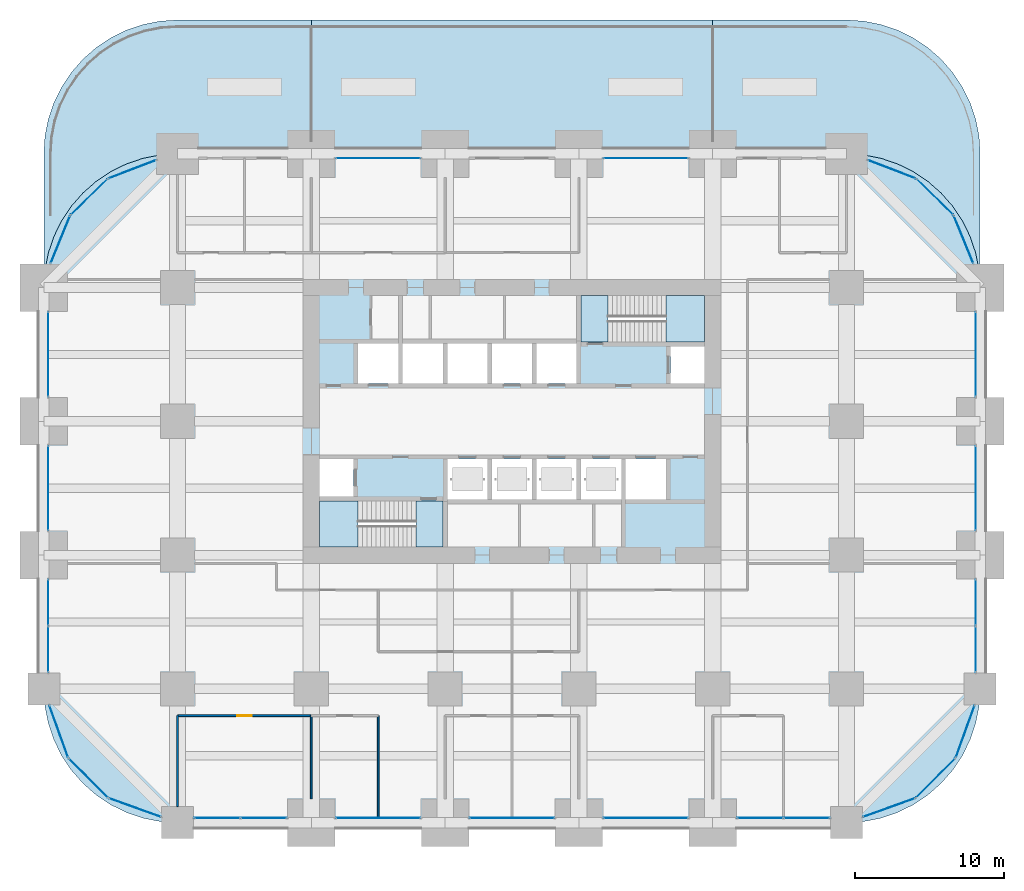
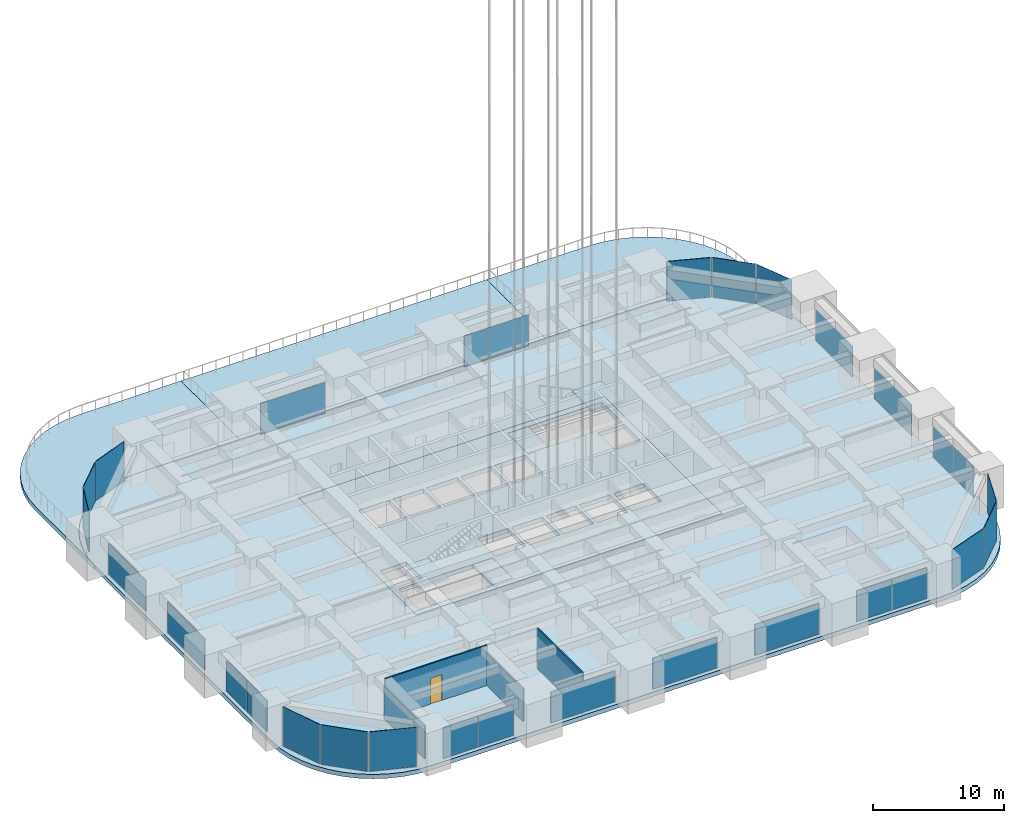
# One storey, part 35 of 50: 29 plates, 9 slabs, 4 walls, 1 door, 1 opening, 27 elements without a shape of their own.
"""IFC4 building model written with IfcOpenShell, lengths in metres."""

from ifc_helpers import new_model, si_unit, direction, frame, frame_2d, origin, origin_2d, place, context, subcontext, project, spatial, polyline, rectangle, outline, extrude, material, layer, layer_set, type_object, element, fill, aggregate, save


model = new_model("IFC4")

# Units and contexts
model_context = context("Model", 3, precision=1e-05, world=origin(), true_north=direction((0.0, 1.0)))
body_context = subcontext(model_context, "Body", "Model", "MODEL_VIEW")
ifc_project = project(units=[si_unit("LENGTHUNIT", "METRE"), si_unit("AREAUNIT", "SQUARE_METRE"), si_unit("VOLUMEUNIT", "CUBIC_METRE"), si_unit("PLANEANGLEUNIT", "RADIAN"), si_unit("MASSUNIT", "GRAM", prefix="KILO")], contexts=[model_context])

# Site, building, storey
site_placement = place(None, origin())
site = spatial("IfcSite", under=ifc_project, at=site_placement, CompositionType="ELEMENT")
building_placement = place(site_placement, origin())
building = spatial("IfcBuilding", under=site, at=building_placement, Name="Zorevar Civic Tower", CompositionType="ELEMENT")
storey_placement = place(building_placement, frame((0.0, 0.0, 85.0)))
storey = spatial("IfcBuildingStorey", under=building, at=storey_placement, Name="L20", CompositionType="ELEMENT", Elevation=85.0)

# Curtain wall, plates
ifc_material_1 = material(Name="Dark grey solar-control glass in black aluminium frame", Category="aluminium")
curtain_wall_type = type_object("IfcCurtainWallType", Name="Curtain wall CW3 mid zone", PredefinedType="NOTDEFINED", material=ifc_material_1)
curtain_wall_1_placement = place(storey_placement, origin())
curtain_wall_1 = element("IfcCurtainWall", 1, at=curtain_wall_1_placement, inside=storey, type_object=curtain_wall_type, Name="CW3 L20", PredefinedType="NOTDEFINED")
ifc_material_2 = material(Name="Dark grey solar-control glass", Category="glass")
ifc_layer_1 = layer(ifc_material_2, 0.030029296875)
ifc_layer_set_1 = layer_set([ifc_layer_1], Name="CW3 panel 30")
plate_type = type_object("IfcPlateType", Name="CW3 panel 30", PredefinedType="CURTAIN_PANEL", material=ifc_layer_set_1)
plate_1_placement = place(storey_placement, frame((11.671142578125, 0.300048828125, 0.06005859375), z_axis=(0.0, 0.0, 1.0), x_axis=(1.0, 0.0, 0.0)))
plate_1 = element("IfcPlate", 2, at=plate_1_placement, type_object=plate_type, Name="CW3 panel 1.1", PredefinedType="CURTAIN_PANEL", context=body_context, shape_type="SweptSolid", body=[
    extrude(rectangle(XDim=3.072509765625, YDim=0.030029296875, at=origin_2d()), origin(), (0.0, 0.0, 1.0), 2.889892578125),
])
plate_2_placement = place(storey_placement, frame((14.8037109375, 0.300048828125, 0.06005859375), z_axis=(0.0, 0.0, 1.0), x_axis=(1.0, 0.0, 0.0)))
plate_2 = element("IfcPlate", 3, at=plate_2_placement, type_object=plate_type, Name="CW3 panel 2.1", PredefinedType="CURTAIN_PANEL", context=body_context, shape_type="SweptSolid", body=[
    extrude(rectangle(XDim=3.072509765625, YDim=0.030029296875, at=origin_2d()), origin(), (0.0, 0.0, 1.0), 2.889892578125),
])
aggregate(curtain_wall_1, [plate_1, plate_2])

# Curtain wall, plate
curtain_wall_2_placement = place(storey_placement, origin())
curtain_wall_2 = element("IfcCurtainWall", 4, at=curtain_wall_2_placement, inside=storey, type_object=curtain_wall_type, Name="CW3 L20", PredefinedType="NOTDEFINED")
plate_3_placement = place(storey_placement, frame((22.5, 0.300048828125, 0.06005859375), z_axis=(0.0, 0.0, 1.0), x_axis=(1.0, 0.0, 0.0)))
plate_3 = element("IfcPlate", 5, at=plate_3_placement, type_object=plate_type, Name="CW3 panel 1.1", PredefinedType="CURTAIN_PANEL", context=body_context, shape_type="SweptSolid", body=[
    extrude(rectangle(XDim=5.679931640625, YDim=0.030029296875, at=origin_2d()), origin(), (0.0, 0.0, 1.0), 2.889892578125),
])
aggregate(curtain_wall_2, [plate_3])

curtain_wall_3_placement = place(storey_placement, origin())
curtain_wall_3 = element("IfcCurtainWall", 6, at=curtain_wall_3_placement, inside=storey, type_object=curtain_wall_type, Name="CW3 L20", PredefinedType="NOTDEFINED")
plate_4_placement = place(storey_placement, frame((22.5, 44.699951171875, 0.06005859375), z_axis=(0.0, 0.0, 1.0), x_axis=(1.0, 0.0, 0.0)))
plate_4 = element("IfcPlate", 7, at=plate_4_placement, type_object=plate_type, Name="CW3 panel 1.1", PredefinedType="CURTAIN_PANEL", context=body_context, shape_type="SweptSolid", body=[
    extrude(rectangle(XDim=5.679931640625, YDim=0.030029296875, at=origin_2d()), origin(), (0.0, 0.0, 1.0), 2.889892578125),
])
aggregate(curtain_wall_3, [plate_4])

curtain_wall_4_placement = place(storey_placement, origin())
curtain_wall_4 = element("IfcCurtainWall", 8, at=curtain_wall_4_placement, inside=storey, type_object=curtain_wall_type, Name="CW3 L20", PredefinedType="NOTDEFINED")
plate_5_placement = place(storey_placement, frame((31.5, 0.300048828125, 0.06005859375), z_axis=(0.0, 0.0, 1.0), x_axis=(1.0, 0.0, 0.0)))
plate_5 = element("IfcPlate", 9, at=plate_5_placement, type_object=plate_type, Name="CW3 panel 1.1", PredefinedType="CURTAIN_PANEL", context=body_context, shape_type="SweptSolid", body=[
    extrude(rectangle(XDim=5.679931640625, YDim=0.030029296875, at=origin_2d()), origin(), (0.0, 0.0, 1.0), 2.889892578125),
])
aggregate(curtain_wall_4, [plate_5])

curtain_wall_5_placement = place(storey_placement, origin())
curtain_wall_5 = element("IfcCurtainWall", 10, at=curtain_wall_5_placement, inside=storey, type_object=curtain_wall_type, Name="CW3 L20", PredefinedType="NOTDEFINED")
plate_6_placement = place(storey_placement, frame((40.5, 0.300048828125, 0.06005859375), z_axis=(0.0, 0.0, 1.0), x_axis=(1.0, 0.0, 0.0)))
plate_6 = element("IfcPlate", 11, at=plate_6_placement, type_object=plate_type, Name="CW3 panel 1.1", PredefinedType="CURTAIN_PANEL", context=body_context, shape_type="SweptSolid", body=[
    extrude(rectangle(XDim=5.679931640625, YDim=0.030029296875, at=origin_2d()), origin(), (0.0, 0.0, 1.0), 2.889892578125),
])
aggregate(curtain_wall_5, [plate_6])

curtain_wall_6_placement = place(storey_placement, origin())
curtain_wall_6 = element("IfcCurtainWall", 12, at=curtain_wall_6_placement, inside=storey, type_object=curtain_wall_type, Name="CW3 L20", PredefinedType="NOTDEFINED")
plate_7_placement = place(storey_placement, frame((40.5, 44.699951171875, 0.06005859375), z_axis=(0.0, 0.0, 1.0), x_axis=(1.0, 0.0, 0.0)))
plate_7 = element("IfcPlate", 13, at=plate_7_placement, type_object=plate_type, Name="CW3 panel 1.1", PredefinedType="CURTAIN_PANEL", context=body_context, shape_type="SweptSolid", body=[
    extrude(rectangle(XDim=5.679931640625, YDim=0.030029296875, at=origin_2d()), origin(), (0.0, 0.0, 1.0), 2.889892578125),
])
aggregate(curtain_wall_6, [plate_7])

# Curtain wall, plates
curtain_wall_7_placement = place(storey_placement, origin())
curtain_wall_7 = element("IfcCurtainWall", 14, at=curtain_wall_7_placement, inside=storey, type_object=curtain_wall_type, Name="CW3 L20", PredefinedType="NOTDEFINED")
plate_8_placement = place(storey_placement, frame((48.1962890625, 0.300048828125, 0.06005859375), z_axis=(0.0, 0.0, 1.0), x_axis=(1.0, 0.0, 0.0)))
plate_8 = element("IfcPlate", 15, at=plate_8_placement, type_object=plate_type, Name="CW3 panel 1.1", PredefinedType="CURTAIN_PANEL", context=body_context, shape_type="SweptSolid", body=[
    extrude(rectangle(XDim=3.072509765625, YDim=0.030029296875, at=origin_2d()), origin(), (0.0, 0.0, 1.0), 2.889892578125),
])
plate_9_placement = place(storey_placement, frame((51.328857421875, 0.300048828125, 0.06005859375), z_axis=(0.0, 0.0, 1.0), x_axis=(1.0, 0.0, 0.0)))
plate_9 = element("IfcPlate", 16, at=plate_9_placement, type_object=plate_type, Name="CW3 panel 2.1", PredefinedType="CURTAIN_PANEL", context=body_context, shape_type="SweptSolid", body=[
    extrude(rectangle(XDim=3.072509765625, YDim=0.030029296875, at=origin_2d()), origin(), (0.0, 0.0, 1.0), 2.889892578125),
])
aggregate(curtain_wall_7, [plate_8, plate_9])

curtain_wall_8_placement = place(storey_placement, origin())
curtain_wall_8 = element("IfcCurtainWall", 17, at=curtain_wall_8_placement, inside=storey, type_object=curtain_wall_type, Name="CW3 L20", PredefinedType="NOTDEFINED")
plate_10_placement = place(storey_placement, frame((0.300048828125, 11.671142578125, 0.06005859375), z_axis=(0.0, 0.0, 1.0), x_axis=(0.0, 1.0, 0.0)))
plate_10 = element("IfcPlate", 18, at=plate_10_placement, type_object=plate_type, Name="CW3 panel 1.1", PredefinedType="CURTAIN_PANEL", context=body_context, shape_type="SweptSolid", body=[
    extrude(rectangle(XDim=3.072509765625, YDim=0.030029296875, at=origin_2d()), origin(), (0.0, 0.0, 1.0), 2.889892578125),
])
plate_11_placement = place(storey_placement, frame((0.300048828125, 14.8037109375, 0.06005859375), z_axis=(0.0, 0.0, 1.0), x_axis=(0.0, 1.0, 0.0)))
plate_11 = element("IfcPlate", 19, at=plate_11_placement, type_object=plate_type, Name="CW3 panel 2.1", PredefinedType="CURTAIN_PANEL", context=body_context, shape_type="SweptSolid", body=[
    extrude(rectangle(XDim=3.072509765625, YDim=0.030029296875, at=origin_2d()), origin(), (0.0, 0.0, 1.0), 2.889892578125),
])
aggregate(curtain_wall_8, [plate_10, plate_11])

curtain_wall_9_placement = place(storey_placement, origin())
curtain_wall_9 = element("IfcCurtainWall", 20, at=curtain_wall_9_placement, inside=storey, type_object=curtain_wall_type, Name="CW3 L20", PredefinedType="NOTDEFINED")
plate_12_placement = place(storey_placement, frame((62.699951171875, 11.671142578125, 0.06005859375), z_axis=(0.0, 0.0, 1.0), x_axis=(0.0, 1.0, 0.0)))
plate_12 = element("IfcPlate", 21, at=plate_12_placement, type_object=plate_type, Name="CW3 panel 1.1", PredefinedType="CURTAIN_PANEL", context=body_context, shape_type="SweptSolid", body=[
    extrude(rectangle(XDim=3.072509765625, YDim=0.030029296875, at=origin_2d()), origin(), (0.0, 0.0, 1.0), 2.889892578125),
])
plate_13_placement = place(storey_placement, frame((62.699951171875, 14.8037109375, 0.06005859375), z_axis=(0.0, 0.0, 1.0), x_axis=(0.0, 1.0, 0.0)))
plate_13 = element("IfcPlate", 22, at=plate_13_placement, type_object=plate_type, Name="CW3 panel 2.1", PredefinedType="CURTAIN_PANEL", context=body_context, shape_type="SweptSolid", body=[
    extrude(rectangle(XDim=3.072509765625, YDim=0.030029296875, at=origin_2d()), origin(), (0.0, 0.0, 1.0), 2.889892578125),
])
aggregate(curtain_wall_9, [plate_12, plate_13])

# Curtain wall, plate
curtain_wall_10_placement = place(storey_placement, origin())
curtain_wall_10 = element("IfcCurtainWall", 23, at=curtain_wall_10_placement, inside=storey, type_object=curtain_wall_type, Name="CW3 L20", PredefinedType="NOTDEFINED")
plate_14_placement = place(storey_placement, frame((0.300048828125, 22.5, 0.06005859375), z_axis=(0.0, 0.0, 1.0), x_axis=(0.0, 1.0, 0.0)))
plate_14 = element("IfcPlate", 24, at=plate_14_placement, type_object=plate_type, Name="CW3 panel 1.1", PredefinedType="CURTAIN_PANEL", context=body_context, shape_type="SweptSolid", body=[
    extrude(rectangle(XDim=5.679931640625, YDim=0.030029296875, at=origin_2d()), origin(), (0.0, 0.0, 1.0), 2.889892578125),
])
aggregate(curtain_wall_10, [plate_14])

curtain_wall_11_placement = place(storey_placement, origin())
curtain_wall_11 = element("IfcCurtainWall", 25, at=curtain_wall_11_placement, inside=storey, type_object=curtain_wall_type, Name="CW3 L20", PredefinedType="NOTDEFINED")
plate_15_placement = place(storey_placement, frame((62.699951171875, 22.5, 0.06005859375), z_axis=(0.0, 0.0, 1.0), x_axis=(0.0, 1.0, 0.0)))
plate_15 = element("IfcPlate", 26, at=plate_15_placement, type_object=plate_type, Name="CW3 panel 1.1", PredefinedType="CURTAIN_PANEL", context=body_context, shape_type="SweptSolid", body=[
    extrude(rectangle(XDim=5.679931640625, YDim=0.030029296875, at=origin_2d()), origin(), (0.0, 0.0, 1.0), 2.889892578125),
])
aggregate(curtain_wall_11, [plate_15])

curtain_wall_12_placement = place(storey_placement, origin())
curtain_wall_12 = element("IfcCurtainWall", 27, at=curtain_wall_12_placement, inside=storey, type_object=curtain_wall_type, Name="CW3 L20", PredefinedType="NOTDEFINED")
plate_16_placement = place(storey_placement, frame((0.300048828125, 31.5, 0.06005859375), z_axis=(0.0, 0.0, 1.0), x_axis=(0.0, 1.0, 0.0)))
plate_16 = element("IfcPlate", 28, at=plate_16_placement, type_object=plate_type, Name="CW3 panel 1.1", PredefinedType="CURTAIN_PANEL", context=body_context, shape_type="SweptSolid", body=[
    extrude(rectangle(XDim=5.679931640625, YDim=0.030029296875, at=origin_2d()), origin(), (0.0, 0.0, 1.0), 2.889892578125),
])
aggregate(curtain_wall_12, [plate_16])

curtain_wall_13_placement = place(storey_placement, origin())
curtain_wall_13 = element("IfcCurtainWall", 29, at=curtain_wall_13_placement, inside=storey, type_object=curtain_wall_type, Name="CW3 L20", PredefinedType="NOTDEFINED")
plate_17_placement = place(storey_placement, frame((62.699951171875, 31.5, 0.06005859375), z_axis=(0.0, 0.0, 1.0), x_axis=(0.0, 1.0, 0.0)))
plate_17 = element("IfcPlate", 30, at=plate_17_placement, type_object=plate_type, Name="CW3 panel 1.1", PredefinedType="CURTAIN_PANEL", context=body_context, shape_type="SweptSolid", body=[
    extrude(rectangle(XDim=5.679931640625, YDim=0.030029296875, at=origin_2d()), origin(), (0.0, 0.0, 1.0), 2.889892578125),
])
aggregate(curtain_wall_13, [plate_17])

curtain_wall_14_placement = place(storey_placement, origin())
curtain_wall_14 = element("IfcCurtainWall", 31, at=curtain_wall_14_placement, inside=storey, type_object=curtain_wall_type, Name="CW3 L20", PredefinedType="NOTDEFINED")
plate_18_placement = place(storey_placement, frame((56.8662109375, 1.00927734375, 0.06005859375), z_axis=(0.0, 0.0, 1.0), x_axis=(0.941281589934, 0.337622523614, 0.0)))
plate_18 = element("IfcPlate", 32, at=plate_18_placement, type_object=plate_type, Name="CW3 panel 1.1", PredefinedType="CURTAIN_PANEL", context=body_context, shape_type="SweptSolid", body=[
    extrude(rectangle(XDim=3.685791015625, YDim=0.030029296875, at=origin_2d()), origin(), (0.0, 0.0, 1.0), 3.68994140625),
])
aggregate(curtain_wall_14, [plate_18])

curtain_wall_15_placement = place(storey_placement, origin())
curtain_wall_15 = element("IfcCurtainWall", 33, at=curtain_wall_15_placement, inside=storey, type_object=curtain_wall_type, Name="CW3 L20", PredefinedType="NOTDEFINED")
plate_19_placement = place(storey_placement, frame((60.0029296875, 2.9970703125, 0.06005859375), z_axis=(0.0, 0.0, 1.0), x_axis=(0.707106781187, 0.707106781187, 0.0)))
plate_19 = element("IfcPlate", 34, at=plate_19_placement, type_object=plate_type, Name="CW3 panel 1.1", PredefinedType="CURTAIN_PANEL", context=body_context, shape_type="SweptSolid", body=[
    extrude(rectangle(XDim=3.685791015625, YDim=0.030029296875, at=origin_2d()), origin(), (0.0, 0.0, 1.0), 3.68994140625),
])
aggregate(curtain_wall_15, [plate_19])

curtain_wall_16_placement = place(storey_placement, origin())
curtain_wall_16 = element("IfcCurtainWall", 35, at=curtain_wall_16_placement, inside=storey, type_object=curtain_wall_type, Name="CW3 L20", PredefinedType="NOTDEFINED")
plate_20_placement = place(storey_placement, frame((61.99072265625, 6.1337890625, 0.06005859375), z_axis=(0.0, 0.0, 1.0), x_axis=(0.337622523614, 0.941281589934, 0.0)))
plate_20 = element("IfcPlate", 36, at=plate_20_placement, type_object=plate_type, Name="CW3 panel 1.1", PredefinedType="CURTAIN_PANEL", context=body_context, shape_type="SweptSolid", body=[
    extrude(rectangle(XDim=3.685791015625, YDim=0.030029296875, at=origin_2d()), origin(), (0.0, 0.0, 1.0), 3.68994140625),
])
aggregate(curtain_wall_16, [plate_20])

curtain_wall_17_placement = place(storey_placement, origin())
curtain_wall_17 = element("IfcCurtainWall", 37, at=curtain_wall_17_placement, inside=storey, type_object=curtain_wall_type, Name="CW3 L20", PredefinedType="NOTDEFINED")
plate_21_placement = place(storey_placement, frame((61.883056640625, 39.231201171875, 0.06005859375), z_axis=(0.0, 0.0, 1.0), x_axis=(-0.379250636233, 0.925293982968, 0.0)))
plate_21 = element("IfcPlate", 38, at=plate_21_placement, type_object=plate_type, Name="CW3 panel 1.1", PredefinedType="CURTAIN_PANEL", context=body_context, shape_type="SweptSolid", body=[
    extrude(rectangle(XDim=3.405517578125, YDim=0.030029296875, at=origin_2d()), origin(), (0.0, 0.0, 1.0), 3.68994140625),
])
aggregate(curtain_wall_17, [plate_21])

curtain_wall_18_placement = place(storey_placement, origin())
curtain_wall_18 = element("IfcCurtainWall", 39, at=curtain_wall_18_placement, inside=storey, type_object=curtain_wall_type, Name="CW3 L20", PredefinedType="NOTDEFINED")
plate_22_placement = place(storey_placement, frame((59.95361328125, 42.093994140625, 0.06005859375), z_axis=(0.0, 0.0, 1.0), x_axis=(-0.715320200166, 0.698796831156, 0.0)))
plate_22 = element("IfcPlate", 40, at=plate_22_placement, type_object=plate_type, Name="CW3 panel 1.1", PredefinedType="CURTAIN_PANEL", context=body_context, shape_type="SweptSolid", body=[
    extrude(rectangle(XDim=3.405517578125, YDim=0.030029296875, at=origin_2d()), origin(), (0.0, 0.0, 1.0), 3.68994140625),
])
aggregate(curtain_wall_18, [plate_22])

curtain_wall_19_placement = place(storey_placement, origin())
curtain_wall_19 = element("IfcCurtainWall", 41, at=curtain_wall_19_placement, inside=storey, type_object=curtain_wall_type, Name="CW3 L20", PredefinedType="NOTDEFINED")
plate_23_placement = place(storey_placement, frame((57.046142578125, 43.956298828125, 0.06005859375), z_axis=(0.0, 0.0, 1.0), x_axis=(-0.933889855947, 0.35756081575, 0.0)))
plate_23 = element("IfcPlate", 42, at=plate_23_placement, type_object=plate_type, Name="CW3 panel 1.1", PredefinedType="CURTAIN_PANEL", context=body_context, shape_type="SweptSolid", body=[
    extrude(rectangle(XDim=3.405517578125, YDim=0.030029296875, at=origin_2d()), origin(), (0.0, 0.0, 1.0), 3.68994140625),
])
aggregate(curtain_wall_19, [plate_23])

curtain_wall_20_placement = place(storey_placement, origin())
curtain_wall_20 = element("IfcCurtainWall", 43, at=curtain_wall_20_placement, inside=storey, type_object=curtain_wall_type, Name="CW3 L20", PredefinedType="NOTDEFINED")
plate_24_placement = place(storey_placement, frame((5.953857421875, 43.956298828125, 0.06005859375), z_axis=(0.0, 0.0, 1.0), x_axis=(-0.933889855947, -0.35756081575, 0.0)))
plate_24 = element("IfcPlate", 44, at=plate_24_placement, type_object=plate_type, Name="CW3 panel 1.1", PredefinedType="CURTAIN_PANEL", context=body_context, shape_type="SweptSolid", body=[
    extrude(rectangle(XDim=3.405517578125, YDim=0.030029296875, at=origin_2d()), origin(), (0.0, 0.0, 1.0), 3.68994140625),
])
aggregate(curtain_wall_20, [plate_24])

curtain_wall_21_placement = place(storey_placement, origin())
curtain_wall_21 = element("IfcCurtainWall", 45, at=curtain_wall_21_placement, inside=storey, type_object=curtain_wall_type, Name="CW3 L20", PredefinedType="NOTDEFINED")
plate_25_placement = place(storey_placement, frame((3.04638671875, 42.093994140625, 0.06005859375), z_axis=(0.0, 0.0, 1.0), x_axis=(-0.715320200166, -0.698796831156, 0.0)))
plate_25 = element("IfcPlate", 46, at=plate_25_placement, type_object=plate_type, Name="CW3 panel 1.1", PredefinedType="CURTAIN_PANEL", context=body_context, shape_type="SweptSolid", body=[
    extrude(rectangle(XDim=3.405517578125, YDim=0.030029296875, at=origin_2d()), origin(), (0.0, 0.0, 1.0), 3.68994140625),
])
aggregate(curtain_wall_21, [plate_25])

curtain_wall_22_placement = place(storey_placement, origin())
curtain_wall_22 = element("IfcCurtainWall", 47, at=curtain_wall_22_placement, inside=storey, type_object=curtain_wall_type, Name="CW3 L20", PredefinedType="NOTDEFINED")
plate_26_placement = place(storey_placement, frame((1.116943359375, 39.231201171875, 0.06005859375), z_axis=(0.0, 0.0, 1.0), x_axis=(-0.379250636233, -0.925293982968, 0.0)))
plate_26 = element("IfcPlate", 48, at=plate_26_placement, type_object=plate_type, Name="CW3 panel 1.1", PredefinedType="CURTAIN_PANEL", context=body_context, shape_type="SweptSolid", body=[
    extrude(rectangle(XDim=3.405517578125, YDim=0.030029296875, at=origin_2d()), origin(), (0.0, 0.0, 1.0), 3.68994140625),
])
aggregate(curtain_wall_22, [plate_26])

curtain_wall_23_placement = place(storey_placement, origin())
curtain_wall_23 = element("IfcCurtainWall", 49, at=curtain_wall_23_placement, inside=storey, type_object=curtain_wall_type, Name="CW3 L20", PredefinedType="NOTDEFINED")
plate_27_placement = place(storey_placement, frame((1.00927734375, 6.1337890625, 0.06005859375), z_axis=(0.0, 0.0, 1.0), x_axis=(0.337622523614, -0.941281589934, 0.0)))
plate_27 = element("IfcPlate", 50, at=plate_27_placement, type_object=plate_type, Name="CW3 panel 1.1", PredefinedType="CURTAIN_PANEL", context=body_context, shape_type="SweptSolid", body=[
    extrude(rectangle(XDim=3.685791015625, YDim=0.030029296875, at=origin_2d()), origin(), (0.0, 0.0, 1.0), 3.68994140625),
])
aggregate(curtain_wall_23, [plate_27])

curtain_wall_24_placement = place(storey_placement, origin())
curtain_wall_24 = element("IfcCurtainWall", 51, at=curtain_wall_24_placement, inside=storey, type_object=curtain_wall_type, Name="CW3 L20", PredefinedType="NOTDEFINED")
plate_28_placement = place(storey_placement, frame((2.9970703125, 2.9970703125, 0.06005859375), z_axis=(0.0, 0.0, 1.0), x_axis=(0.707106781187, -0.707106781187, 0.0)))
plate_28 = element("IfcPlate", 52, at=plate_28_placement, type_object=plate_type, Name="CW3 panel 1.1", PredefinedType="CURTAIN_PANEL", context=body_context, shape_type="SweptSolid", body=[
    extrude(rectangle(XDim=3.685791015625, YDim=0.030029296875, at=origin_2d()), origin(), (0.0, 0.0, 1.0), 3.68994140625),
])
aggregate(curtain_wall_24, [plate_28])

curtain_wall_25_placement = place(storey_placement, origin())
curtain_wall_25 = element("IfcCurtainWall", 53, at=curtain_wall_25_placement, inside=storey, type_object=curtain_wall_type, Name="CW3 L20", PredefinedType="NOTDEFINED")
plate_29_placement = place(storey_placement, frame((6.1337890625, 1.00927734375, 0.06005859375), z_axis=(0.0, 0.0, 1.0), x_axis=(0.941281589934, -0.337622523614, 0.0)))
plate_29 = element("IfcPlate", 54, at=plate_29_placement, type_object=plate_type, Name="CW3 panel 1.1", PredefinedType="CURTAIN_PANEL", context=body_context, shape_type="SweptSolid", body=[
    extrude(rectangle(XDim=3.685791015625, YDim=0.030029296875, at=origin_2d()), origin(), (0.0, 0.0, 1.0), 3.68994140625),
])
aggregate(curtain_wall_25, [plate_29])

# Slabs
ifc_material_3 = material(Name="Concrete C40/50", Category="concrete")
ifc_layer_2 = layer(ifc_material_3, 0.39990234375)
ifc_layer_set_2 = layer_set([ifc_layer_2], Name="Floor slab 400")
slab_type_1 = type_object("IfcSlabType", Name="Floor slab 400", PredefinedType="FLOOR", material=ifc_layer_set_2)
slab_1_placement = place(storey_placement, frame((0.0, 0.0, -0.39990234375)))
element("IfcSlab", 55, at=slab_1_placement, inside=storey, type_object=slab_type_1, Name="Floor slab L20", PredefinedType="FLOOR", context=body_context, shape_type="SweptSolid", body=[
    extrude(outline(polyline([(54.0, 0.0), (55.1748046875, 0.076904296875), (56.329345703125, 0.306640625), (57.444091796875, 0.68505859375), (58.5, 1.205810546875), (59.478759765625, 1.85986328125), (60.364013671875, 2.635986328125), (61.14013671875, 3.521240234375), (61.794189453125, 4.5), (62.31494140625, 5.555908203125), (62.693359375, 6.670654296875), (62.923095703125, 7.8251953125), (63.0, 9.0), (63.0, 36.0), (62.923095703125, 37.1748046875), (62.693359375, 38.329345703125), (62.31494140625, 39.444091796875), (61.794189453125, 40.5), (61.14013671875, 41.478759765625), (60.364013671875, 42.364013671875), (59.478759765625, 43.14013671875), (58.5, 43.794189453125), (57.444091796875, 44.31494140625), (56.329345703125, 44.693359375), (55.1748046875, 44.923095703125), (54.0, 45.0), (9.0, 45.0), (7.8251953125, 44.923095703125), (6.670654296875, 44.693359375), (5.555908203125, 44.31494140625), (4.5, 43.794189453125), (3.521240234375, 43.14013671875), (2.635986328125, 42.364013671875), (1.85986328125, 41.478759765625), (1.205810546875, 40.5), (0.68505859375, 39.444091796875), (0.306640625, 38.329345703125), (0.076904296875, 37.1748046875), (0.0, 36.0), (0.0, 9.0), (0.076904296875, 7.8251953125), (0.306640625, 6.670654296875), (0.68505859375, 5.555908203125), (1.205810546875, 4.5), (1.85986328125, 3.521240234375), (2.635986328125, 2.635986328125), (3.521240234375, 1.85986328125), (4.5, 1.205810546875), (5.555908203125, 0.68505859375), (6.670654296875, 0.306640625), (7.8251953125, 0.076904296875), (9.0, 0.0), (54.0, 0.0)]), holes=[polyline([(18.0, 18.0), (45.0, 18.0), (45.0, 36.0), (18.0, 36.0), (18.0, 18.0)])]), origin(), (0.0, 0.0, 1.0), 0.39990234375),
])
slab_2_placement = place(storey_placement, frame((0.0, 0.0, -0.39990234375)))
element("IfcSlab", 56, at=slab_2_placement, inside=storey, type_object=slab_type_1, Name="Core floor L20", PredefinedType="FLOOR", context=body_context, shape_type="SweptSolid", body=[
    extrude(outline(polyline([(18.0, 18.0), (45.0, 18.0), (45.0, 36.0), (18.0, 36.0), (18.0, 18.0)]), holes=[polyline([(18.550048828125, 18.550048828125), (26.85009765625, 18.550048828125), (26.85009765625, 21.64990234375), (18.550048828125, 21.64990234375), (18.550048828125, 18.550048828125)]), polyline([(36.14990234375, 32.35009765625), (44.449951171875, 32.35009765625), (44.449951171875, 35.449951171875), (36.14990234375, 35.449951171875), (36.14990234375, 32.35009765625)]), polyline([(18.550048828125, 21.949951171875), (20.85009765625, 21.949951171875), (20.85009765625, 24.449951171875), (18.550048828125, 24.449951171875), (18.550048828125, 21.949951171875)]), polyline([(42.14990234375, 29.550048828125), (44.449951171875, 29.550048828125), (44.449951171875, 32.050048828125), (42.14990234375, 32.050048828125), (42.14990234375, 29.550048828125)]), polyline([(27.14990234375, 21.75), (29.85009765625, 21.75), (29.85009765625, 24.449951171875), (27.14990234375, 24.449951171875), (27.14990234375, 21.75)]), polyline([(33.14990234375, 29.550048828125), (35.85009765625, 29.550048828125), (35.85009765625, 32.25), (33.14990234375, 32.25), (33.14990234375, 29.550048828125)]), polyline([(30.14990234375, 21.75), (32.85009765625, 21.75), (32.85009765625, 24.449951171875), (30.14990234375, 24.449951171875), (30.14990234375, 21.75)]), polyline([(30.14990234375, 29.550048828125), (32.85009765625, 29.550048828125), (32.85009765625, 32.25), (30.14990234375, 32.25), (30.14990234375, 29.550048828125)]), polyline([(33.14990234375, 21.75), (35.85009765625, 21.75), (35.85009765625, 24.449951171875), (33.14990234375, 24.449951171875), (33.14990234375, 21.75)]), polyline([(27.14990234375, 29.550048828125), (29.85009765625, 29.550048828125), (29.85009765625, 32.25), (27.14990234375, 32.25), (27.14990234375, 29.550048828125)]), polyline([(36.14990234375, 21.75), (38.85009765625, 21.75), (38.85009765625, 24.449951171875), (36.14990234375, 24.449951171875), (36.14990234375, 21.75)]), polyline([(24.14990234375, 29.550048828125), (26.85009765625, 29.550048828125), (26.85009765625, 32.25), (24.14990234375, 32.25), (24.14990234375, 29.550048828125)]), polyline([(39.14990234375, 21.75), (41.85009765625, 21.75), (41.85009765625, 24.449951171875), (39.14990234375, 24.449951171875), (39.14990234375, 21.75)]), polyline([(21.14990234375, 29.550048828125), (23.85009765625, 29.550048828125), (23.85009765625, 32.25), (21.14990234375, 32.25), (21.14990234375, 29.550048828125)])]), origin(), (0.0, 0.0, 1.0), 0.39990234375),
])

# Stair, slabs
ifc_material_4 = material(Name="Precast concrete C40/50", Category="concrete")
stair_type = type_object("IfcStairType", Name="Stair ST 28R", PredefinedType="HALF_TURN_STAIR", material=ifc_material_4)
stair_1_placement = place(storey_placement, origin())
stair_1 = element("IfcStair", 57, at=stair_1_placement, inside=storey, type_object=stair_type, Name="Stair ST1 L20", PredefinedType="HALF_TURN_STAIR")
ifc_material_5 = material(Name="Concrete C40/50", Category="concrete")
ifc_layer_3 = layer(ifc_material_5, 0.199951171875)
ifc_layer_set_3 = layer_set([ifc_layer_3], Name="Stair landing 200")
slab_type_2 = type_object("IfcSlabType", Name="Stair landing 200", PredefinedType="LANDING", material=ifc_layer_set_3)
slab_3_placement = place(storey_placement, frame((0.0, 0.0, -0.199951171875)))
slab_3 = element("IfcSlab", 58, at=slab_3_placement, type_object=slab_type_2, Name="ST1 landing 1", PredefinedType="LANDING", context=body_context, shape_type="SweptSolid", body=[
    extrude(outline(polyline([(25.050048828125, 18.550048828125), (26.85009765625, 18.550048828125), (26.85009765625, 21.64990234375), (25.050048828125, 21.64990234375), (25.050048828125, 18.550048828125)])), origin(), (0.0, 0.0, 1.0), 0.199951171875),
])
slab_4_placement = place(storey_placement, frame((0.0, 0.0, 1.800048828125)))
slab_4 = element("IfcSlab", 59, at=slab_4_placement, type_object=slab_type_2, Name="ST1 landing 2", PredefinedType="LANDING", context=body_context, shape_type="SweptSolid", body=[
    extrude(outline(polyline([(18.550048828125, 18.550048828125), (21.14990234375, 18.550048828125), (21.14990234375, 21.64990234375), (18.550048828125, 21.64990234375), (18.550048828125, 18.550048828125)])), origin(), (0.0, 0.0, 1.0), 0.199951171875),
])
aggregate(stair_1, [slab_3, slab_4])

stair_2_placement = place(storey_placement, origin())
stair_2 = element("IfcStair", 60, at=stair_2_placement, inside=storey, type_object=stair_type, Name="Stair ST2 L20", PredefinedType="HALF_TURN_STAIR")
slab_5_placement = place(storey_placement, frame((0.0, 0.0, -0.199951171875)))
slab_5 = element("IfcSlab", 61, at=slab_5_placement, type_object=slab_type_2, Name="ST2 landing 1", PredefinedType="LANDING", context=body_context, shape_type="SweptSolid", body=[
    extrude(outline(polyline([(37.949951171875, 32.35009765625), (36.14990234375, 32.35009765625), (36.14990234375, 35.449951171875), (37.949951171875, 35.449951171875), (37.949951171875, 32.35009765625)])), origin(), (0.0, 0.0, 1.0), 0.199951171875),
])
slab_6_placement = place(storey_placement, frame((0.0, 0.0, 1.800048828125)))
slab_6 = element("IfcSlab", 62, at=slab_6_placement, type_object=slab_type_2, Name="ST2 landing 2", PredefinedType="LANDING", context=body_context, shape_type="SweptSolid", body=[
    extrude(outline(polyline([(44.449951171875, 32.35009765625), (41.85009765625, 32.35009765625), (41.85009765625, 35.449951171875), (44.449951171875, 35.449951171875), (44.449951171875, 32.35009765625)])), origin(), (0.0, 0.0, 1.0), 0.199951171875),
])
aggregate(stair_2, [slab_5, slab_6])

# Slabs
ifc_material_6 = material(Name="Concrete C40/50", Category="concrete")
ifc_layer_4 = layer(ifc_material_6, 0.39990234375)
ifc_layer_set_4 = layer_set([ifc_layer_4], Name="Terrace slab 400")
slab_type_3 = type_object("IfcSlabType", Name="Terrace slab 400", PredefinedType="ROOF", material=ifc_layer_set_4)
slab_7_placement = place(storey_placement, frame((0.0, 0.0, -0.39990234375)))
element("IfcSlab", 63, at=slab_7_placement, inside=storey, type_object=slab_type_3, Name="Green roof L20 west", PredefinedType="ROOF", context=body_context, shape_type="SweptSolid", body=[
    extrude(outline(polyline([(0.076904296875, 46.1748046875), (0.306640625, 47.329345703125), (0.68505859375, 48.444091796875), (1.205810546875, 49.5), (1.85986328125, 50.478759765625), (2.635986328125, 51.364013671875), (3.521240234375, 52.14013671875), (4.5, 52.794189453125), (5.555908203125, 53.31494140625), (6.670654296875, 53.693359375), (7.8251953125, 53.923095703125), (9.0, 54.0), (18.0, 54.0), (18.0, 45.0), (9.0, 45.0), (7.8251953125, 44.923095703125), (6.670654296875, 44.693359375), (5.555908203125, 44.31494140625), (4.5, 43.794189453125), (3.521240234375, 43.14013671875), (2.635986328125, 42.364013671875), (1.85986328125, 41.478759765625), (1.205810546875, 40.5), (0.68505859375, 39.444091796875), (0.306640625, 38.329345703125), (0.076904296875, 37.1748046875), (0.0, 36.0), (0.0, 45.0), (0.076904296875, 46.1748046875)])), origin(), (0.0, 0.0, 1.0), 0.39990234375),
])
slab_8_placement = place(storey_placement, frame((0.0, 0.0, -0.39990234375)))
element("IfcSlab", 64, at=slab_8_placement, inside=storey, type_object=slab_type_3, Name="Terrace slab L20", PredefinedType="ROOF", context=body_context, shape_type="SweptSolid", body=[
    extrude(outline(polyline([(45.0, 54.0), (45.0, 45.0), (18.0, 45.0), (18.0, 54.0), (45.0, 54.0)])), origin(), (0.0, 0.0, 1.0), 0.39990234375),
])
slab_9_placement = place(storey_placement, frame((0.0, 0.0, -0.39990234375)))
element("IfcSlab", 65, at=slab_9_placement, inside=storey, type_object=slab_type_3, Name="Green roof L20 east", PredefinedType="ROOF", context=body_context, shape_type="SweptSolid", body=[
    extrude(outline(polyline([(54.0, 54.0), (55.1748046875, 53.923095703125), (56.329345703125, 53.693359375), (57.444091796875, 53.31494140625), (58.5, 52.794189453125), (59.478759765625, 52.14013671875), (60.364013671875, 51.364013671875), (61.14013671875, 50.478759765625), (61.794189453125, 49.5), (62.31494140625, 48.444091796875), (62.693359375, 47.329345703125), (62.923095703125, 46.1748046875), (63.0, 45.0), (63.0, 36.0), (62.923095703125, 37.1748046875), (62.693359375, 38.329345703125), (62.31494140625, 39.444091796875), (61.794189453125, 40.5), (61.14013671875, 41.478759765625), (60.364013671875, 42.364013671875), (59.478759765625, 43.14013671875), (58.5, 43.794189453125), (57.444091796875, 44.31494140625), (56.329345703125, 44.693359375), (55.1748046875, 44.923095703125), (54.0, 45.0), (45.0, 45.0), (45.0, 54.0), (54.0, 54.0)])), origin(), (0.0, 0.0, 1.0), 0.39990234375),
])

# Wall, opening, door
ifc_material_7 = material(Name="Gypsum board on steel studs", Category="steel")
ifc_layer_5 = layer(ifc_material_7, 0.1201171875)
ifc_layer_set_5 = layer_set([ifc_layer_5], Name="Partition 120")
wall_type = type_object("IfcWallType", Name="Partition 120", PredefinedType="PARTITIONING", material=ifc_layer_set_5)
wall_1_placement = place(storey_placement, frame((9.0, 7.199951171875, 0.0), z_axis=(0.0, 0.0, 1.0), x_axis=(1.0, 0.0, 0.0)))
wall_1 = element("IfcWall", 66, at=wall_1_placement, inside=storey, type_object=wall_type, Name="Partition 120 L20", PredefinedType="PARTITIONING", context=body_context, shape_type="SweptSolid", body=[
    extrude(rectangle(XDim=9.0, YDim=0.1201171875, at=frame_2d((4.5, 0.0))), origin(), (0.0, 0.0, 1.0), 3.75),
])
opening_placement = place(wall_1_placement, frame((4.0, 0.0, 0.0)))
opening = element("IfcOpeningElement", 67, at=opening_placement, cuts=wall_1, Name="Opening L20.17", PredefinedType="OPENING", context=body_context, shape_type="SweptSolid", body=[
    extrude(rectangle(XDim=1.0, YDim=2.39990234375, at=frame_2d((0.5, 1.199951171875))), frame((0.0, 0.070068359375, 0.0), z_axis=(0.0, -1.0, 0.0), x_axis=(1.0, 0.0, 0.0)), (0.0, 0.0, 1.0), 0.14013671875),
])
ifc_material_8 = material(Name="Timber door set", Category="wood")
door_type = type_object("IfcDoorType", Name="Door D1 1000x2400", OperationType="SINGLE_SWING_LEFT", PredefinedType="DOOR", material=ifc_material_8)
door_placement = place(opening_placement, origin())
door = element("IfcDoor", 68, at=door_placement, inside=storey, type_object=door_type, Name="Door L20 D1", OperationType="SINGLE_SWING_RIGHT", OverallHeight=2.39990234375, OverallWidth=1.0, PredefinedType="DOOR", context=body_context, shape_type="SweptSolid", body=[
    extrude(rectangle(XDim=1.0, YDim=2.39990234375, at=frame_2d((0.5, 1.199951171875))), frame((0.0, 0.02490234375, 0.0), z_axis=(0.0, -1.0, 0.0), x_axis=(1.0, 0.0, 0.0)), (0.0, 0.0, 1.0), 0.050048828125),
])
fill(opening, door)

# Walls
wall_2_placement = place(storey_placement, frame((9.0, 1.074951171875, 0.0), z_axis=(0.0, 0.0, 1.0), x_axis=(0.0, 1.0, 0.0)))
element("IfcWall", 69, at=wall_2_placement, inside=storey, type_object=wall_type, Name="Partition 120 L20", PredefinedType="PARTITIONING", context=body_context, shape_type="SweptSolid", body=[
    extrude(rectangle(XDim=6.125, YDim=0.1201171875, at=frame_2d((3.0625, 0.0))), origin(), (0.0, 0.0, 1.0), 3.050048828125),
])
wall_3_placement = place(storey_placement, frame((18.0, 1.60009765625, 0.0), z_axis=(0.0, 0.0, 1.0), x_axis=(0.0, 1.0, 0.0)))
element("IfcWall", 70, at=wall_3_placement, inside=storey, type_object=wall_type, Name="Partition 120 L20", PredefinedType="PARTITIONING", context=body_context, shape_type="SweptSolid", body=[
    extrude(rectangle(XDim=5.599853515625, YDim=0.1201171875, at=frame_2d((2.7998046875, 0.0))), origin(), (0.0, 0.0, 1.0), 3.050048828125),
])
wall_4_placement = place(storey_placement, frame((22.5, 0.31005859375, 0.0), z_axis=(0.0, 0.0, 1.0), x_axis=(0.0, 1.0, 0.0)))
element("IfcWall", 71, at=wall_4_placement, inside=storey, type_object=wall_type, Name="Partition 120 L20", PredefinedType="PARTITIONING", context=body_context, shape_type="SweptSolid", body=[
    extrude(rectangle(XDim=6.889892578125, YDim=0.1201171875, at=frame_2d((3.44482421875, 0.0))), origin(), (0.0, 0.0, 1.0), 3.75),
])

save(model, "model.ifc")
